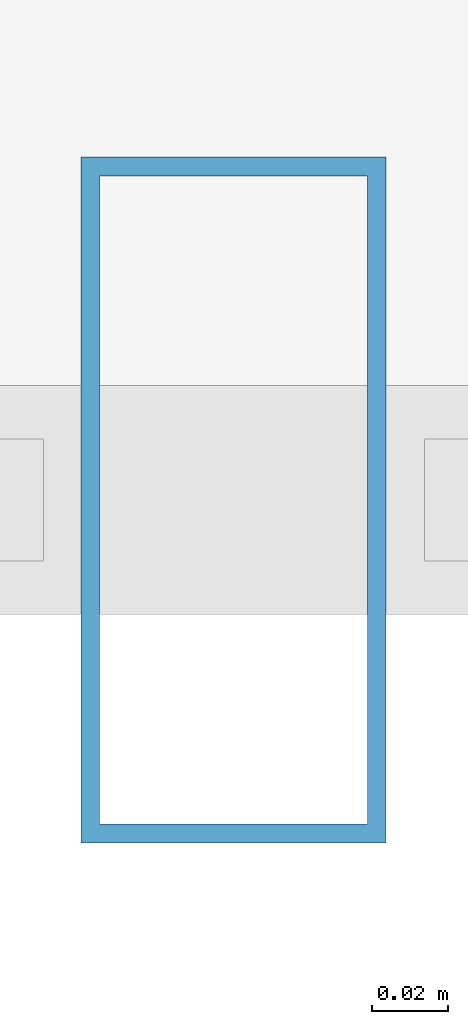
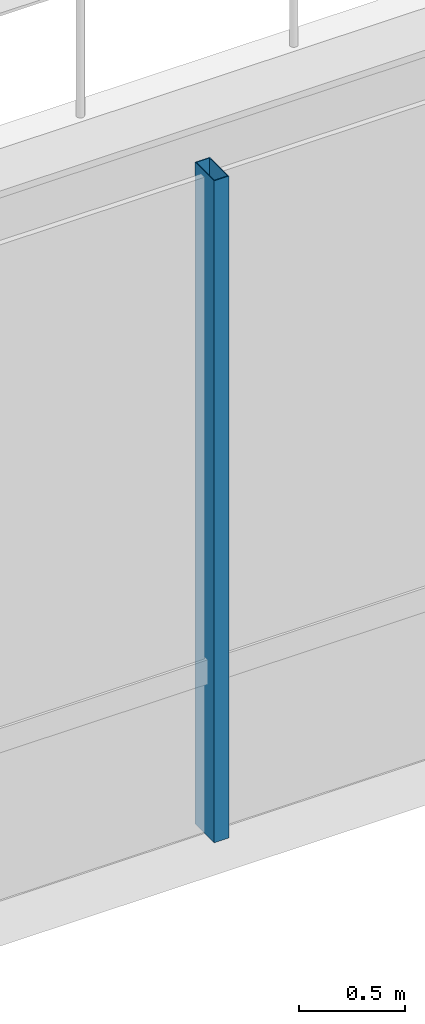
# One storey, part 5 of 26: 1 member, 1 element without a shape of its own.
"""IFC4 building model written with IfcOpenShell, lengths in metres."""

from ifc_helpers import new_model, si_unit, direction, frame, origin, origin_2d, place, context, subcontext, project, spatial, hollow_rectangle, extrude, material, layer, layer_set, material_profile, profile_set, type_object, element, aggregate, save


model = new_model("IFC4")

# Units and contexts
model_context = context("Model", 3, precision=1e-05, world=origin(), true_north=direction((0.0, 1.0)))
body_context = subcontext(model_context, "Body", "Model", "MODEL_VIEW")
ifc_project = project(units=[si_unit("LENGTHUNIT", "METRE"), si_unit("AREAUNIT", "SQUARE_METRE"), si_unit("VOLUMEUNIT", "CUBIC_METRE"), si_unit("PLANEANGLEUNIT", "RADIAN"), si_unit("MASSUNIT", "GRAM", prefix="KILO")], contexts=[model_context])

# Site, building, storey
site_placement = place(None, origin())
site = spatial("IfcSite", under=ifc_project, at=site_placement, CompositionType="ELEMENT")
building_placement = place(site_placement, origin())
building = spatial("IfcBuilding", under=site, at=building_placement, Name="Zarrinselat Tower", CompositionType="ELEMENT")
storey_placement = place(building_placement, frame((0.0, 0.0, 60.179931640625)))
storey = spatial("IfcBuildingStorey", under=building, at=storey_placement, Name="L14", CompositionType="ELEMENT", Elevation=60.179931640625)

# Curtain wall, member
ifc_material_1 = material(Name="Extruded Aluminium Alloy EN AW-6063 T6", Category="aluminium")
ifc_layer = layer(ifc_material_1, 0.18505859375)
ifc_layer_set = layer_set([ifc_layer], Name="Extruded Aluminium Alloy EN AW-6063 T6")
curtain_wall_type = type_object("IfcCurtainWallType", Name="CWS-OFF", PredefinedType="NOTDEFINED", material=ifc_layer_set)
curtain_wall_placement = place(storey_placement, origin())
curtain_wall = element("IfcCurtainWall", 1, at=curtain_wall_placement, inside=storey, type_object=curtain_wall_type, Name="L14 Unitised Curtain Wall CW-L14-E04", PredefinedType="NOTDEFINED")
ifc_material_2 = material(Name="Extruded Aluminium Alloy EN AW-6063 T6", Category="aluminium")
ifc_material_profile = material_profile(ifc_material_2, hollow_rectangle(XDim=0.080078125, YDim=0.179931640625, WallThickness=0.0048828125, at=origin_2d()), Name="RHS 180x80x5")
ifc_profile_set = profile_set([ifc_material_profile], Name="Extruded Aluminium Alloy EN AW-6063 T6")
member_type = type_object("IfcMemberType", Name="MEM-CW-MUL", PredefinedType="MULLION", material=ifc_profile_set)
member_placement = place(storey_placement, frame((34.82568359375, 18.86181640625, 0.0), z_axis=(0.0, 0.0, 1.0), x_axis=(1.0, 0.0, 0.0)))
member = element("IfcMember", 2, at=member_placement, type_object=member_type, Name="CW-L14-E04 Mullion 2", PredefinedType="MULLION", context=body_context, shape_type="SweptSolid", body=[
    extrude(hollow_rectangle(XDim=0.080078125, YDim=0.179931640625, WallThickness=0.0048828125, at=origin_2d()), origin(), (0.0, 0.0, 1.0), 3.820068359375),
])
aggregate(curtain_wall, [member])

save(model, "model.ifc")
